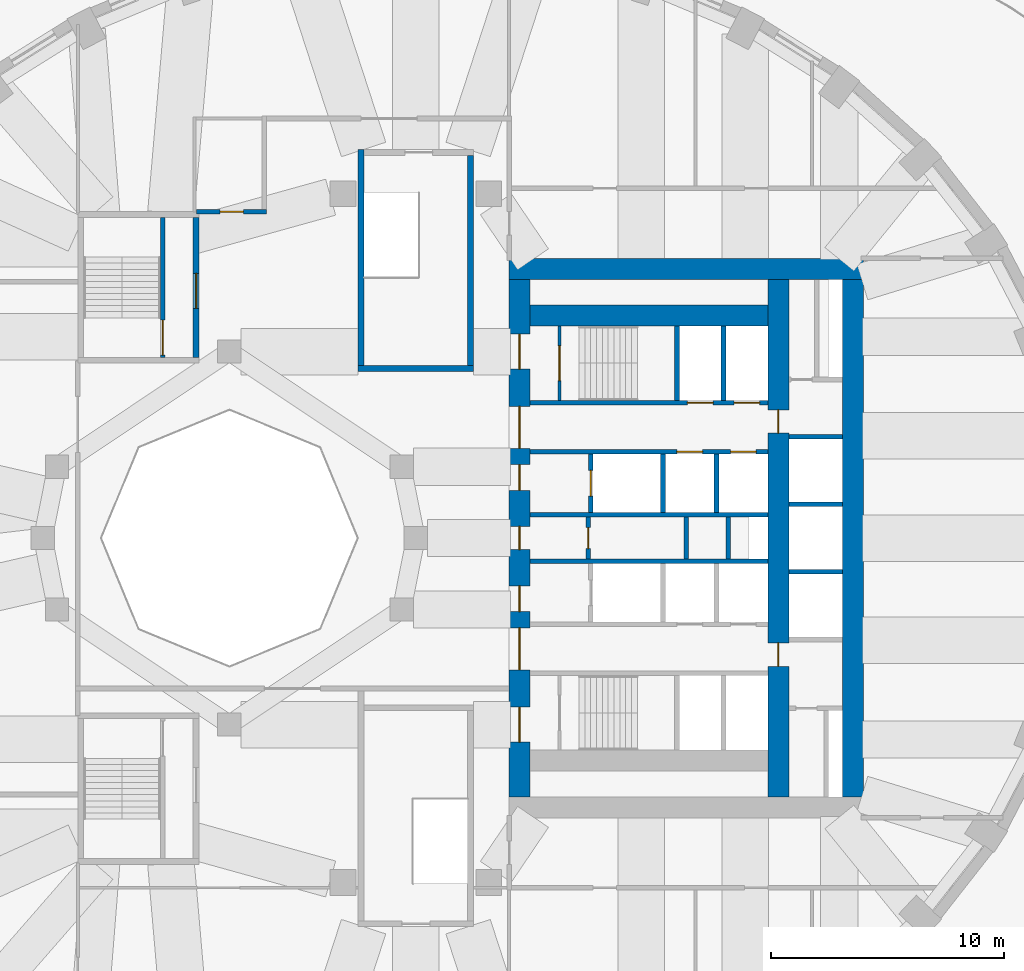
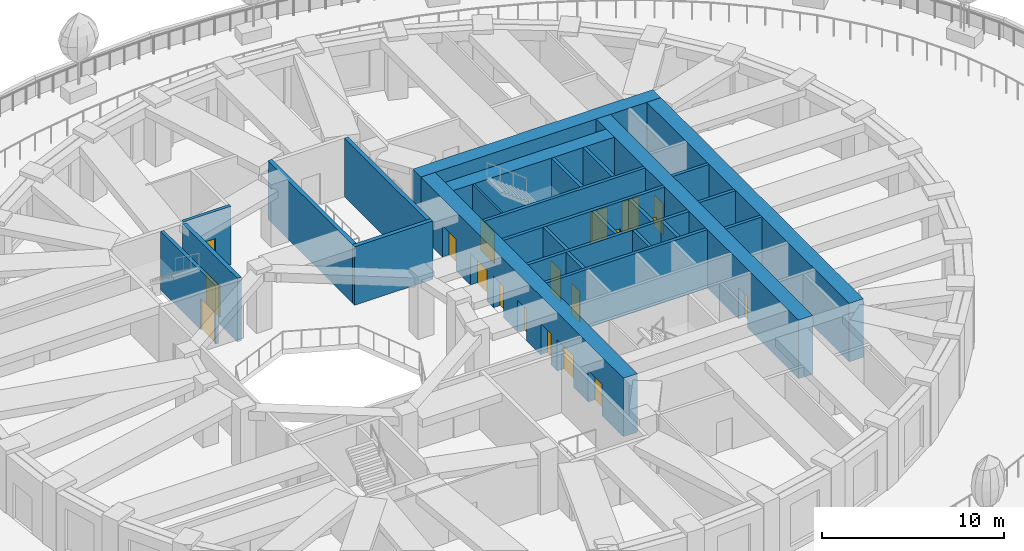
# One storey, part 6 of 17: 27 walls, 19 doors, 19 openings.
"""IFC4 building model written with IfcOpenShell, lengths in metres."""

from ifc_helpers import new_model, si_unit, direction, frame, frame_2d, origin, place, context, subcontext, project, spatial, rectangle, extrude, material, layer, layer_set, type_object, element, fill, save


model = new_model("IFC4")

# Units and contexts
model_context = context("Model", 3, precision=1e-05, world=origin(), true_north=direction((0.0, 1.0)))
body_context = subcontext(model_context, "Body", "Model", "MODEL_VIEW")
ifc_project = project(units=[si_unit("LENGTHUNIT", "METRE"), si_unit("AREAUNIT", "SQUARE_METRE"), si_unit("VOLUMEUNIT", "CUBIC_METRE"), si_unit("PLANEANGLEUNIT", "RADIAN"), si_unit("MASSUNIT", "GRAM", prefix="KILO")], contexts=[model_context])

# Site, building, storey
site_placement = place(None, origin())
site = spatial("IfcSite", under=ifc_project, at=site_placement, CompositionType="ELEMENT")
building_placement = place(site_placement, origin())
building = spatial("IfcBuilding", under=site, at=building_placement, Name="Taillehof Tower", CompositionType="ELEMENT")
storey_placement = place(building_placement, frame((0.0, 0.0, 17.5)))
storey = spatial("IfcBuildingStorey", under=building, at=storey_placement, Name="L03", CompositionType="ELEMENT", Elevation=17.5)

# Wall, opening, door
ifc_material_1 = material(Name="Calcium silicate blockwork", Category="masonry")
ifc_layer_1 = layer(ifc_material_1, 0.199951171875)
ifc_layer_set_1 = layer_set([ifc_layer_1], Name="Compartment wall EI 60 200 mm")
wall_type_1 = type_object("IfcWallType", Name="Compartment wall EI 60 200 mm", PredefinedType="PARTITIONING", material=ifc_layer_set_1)
wall_1_placement = place(storey_placement, frame((-9.39990234375, 14.0, 0.0), z_axis=(0.0, 0.0, 1.0), x_axis=(1.0, 0.0, 0.0)))
wall_1 = element("IfcWall", 1, at=wall_1_placement, inside=storey, type_object=wall_type_1, Name="Wall L03-03 / L03-19", PredefinedType="PARTITIONING", context=body_context, shape_type="SweptSolid", body=[
    extrude(rectangle(XDim=3.0, YDim=0.199951171875, at=frame_2d((1.5, 0.0))), origin(), (0.0, 0.0, 1.0), 3.919921875),
])
opening_1_placement = place(wall_1_placement, frame((1.0, 0.0, 0.0)))
opening_1 = element("IfcOpeningElement", 2, at=opening_1_placement, cuts=wall_1, Name="Opening D0354", PredefinedType="OPENING", context=body_context, shape_type="SweptSolid", body=[
    extrude(rectangle(XDim=1.0, YDim=2.10009765625, at=frame_2d((0.5, 1.050048828125))), frame((0.0, 0.10986328125, 0.0), z_axis=(0.0, -1.0, 0.0), x_axis=(1.0, 0.0, 0.0)), (0.0, 0.0, 1.0), 0.219970703125),
])
ifc_material_2 = material(Name="Hollow metal door set")
door_type_1 = type_object("IfcDoorType", Name="Single door 1000 x 2100 FD60S", OperationType="SINGLE_SWING_LEFT", PredefinedType="DOOR", material=ifc_material_2)
door_1_placement = place(opening_1_placement, origin())
door_1 = element("IfcDoor", 3, at=door_1_placement, inside=storey, type_object=door_type_1, Name="Door D0354", OperationType="SINGLE_SWING_RIGHT", OverallHeight=2.10009765625, OverallWidth=1.0, PredefinedType="DOOR", context=body_context, shape_type="SweptSolid", body=[
    extrude(rectangle(XDim=1.0, YDim=2.10009765625, at=frame_2d((0.5, 1.050048828125))), frame((0.0, 0.02490234375, 0.0), z_axis=(0.0, -1.0, 0.0), x_axis=(1.0, 0.0, 0.0)), (0.0, 0.0, 1.0), 0.050048828125),
])
fill(opening_1, door_1)

ifc_material_3 = material(Name="Calcium silicate masonry", Category="masonry")
ifc_layer_2 = layer(ifc_material_3, 0.199951171875)
ifc_layer_set_2 = layer_set([ifc_layer_2], Name="Compartment wall calcium silicate 200")
wall_type_2 = type_object("IfcWallType", Name="Compartment wall calcium silicate 200", PredefinedType="PARTITIONING", material=ifc_layer_set_2)
wall_2_placement = place(storey_placement, frame((7.39990234375, -0.89990234375, 0.0), z_axis=(0.0, 0.0, 1.0), x_axis=(0.0, 1.0, 0.0)))
wall_2 = element("IfcWall", 4, at=wall_2_placement, inside=storey, type_object=wall_type_2, Name="Compartment wall FW", PredefinedType="PARTITIONING", context=body_context, shape_type="SweptSolid", body=[
    extrude(rectangle(XDim=1.7998046875, YDim=0.199951171875, at=frame_2d((0.89990234375, 0.0))), origin(), (0.0, 0.0, 1.0), 3.919921875),
])
opening_2_placement = place(wall_2_placement, frame((0.449951171875, 0.0, 0.0)))
opening_2 = element("IfcOpeningElement", 5, at=opening_2_placement, cuts=wall_2, Name="Opening D0312", PredefinedType="OPENING", context=body_context, shape_type="SweptSolid", body=[
    extrude(rectangle(XDim=0.89990234375, YDim=2.10009765625, at=frame_2d((0.449951171875, 1.050048828125))), frame((0.0, 0.10986328125, 0.0), z_axis=(0.0, -1.0, 0.0), x_axis=(1.0, 0.0, 0.0)), (0.0, 0.0, 1.0), 0.219970703125),
])
ifc_material_4 = material(Name="Steel-faced fire door", Category="steel")
door_type_2 = type_object("IfcDoorType", Name="Riser and service room door 900x2100", OperationType="SINGLE_SWING_LEFT", PredefinedType="DOOR", material=ifc_material_4)
door_2_placement = place(opening_2_placement, origin())
door_2 = element("IfcDoor", 6, at=door_2_placement, inside=storey, type_object=door_type_2, Name="Door Ice And Pantry Room", OperationType="SINGLE_SWING_RIGHT", OverallHeight=2.10009765625, OverallWidth=0.89990234375, PredefinedType="DOOR", context=body_context, shape_type="SweptSolid", body=[
    extrude(rectangle(XDim=0.89990234375, YDim=2.10009765625, at=frame_2d((0.449951171875, 1.050048828125))), frame((0.0, 0.02490234375, 0.0), z_axis=(0.0, -1.0, 0.0), x_axis=(1.0, 0.0, 0.0)), (0.0, 0.0, 1.0), 0.050048828125),
])
fill(opening_2, door_2)

# Walls
for number, where, z_axis, x_axis, name in (
    (7, (11.60009765625, -0.89990234375, 0.0), (0.0, 0.0, 1.0), (0.0, 1.0, 0.0), "Compartment wall FW"),
    (8, (13.39990234375, -0.89990234375, 0.0), (0.0, 0.0, 1.0), (0.0, 1.0, 0.0), "Compartment wall FW"),
):
    element("IfcWall", number, at=place(storey_placement, frame(where, z_axis=z_axis, x_axis=x_axis)), inside=storey, type_object=wall_type_2, Name=name, PredefinedType="PARTITIONING", context=body_context, shape_type="SweptSolid", body=[
        extrude(rectangle(XDim=1.7998046875, YDim=0.199951171875, at=frame_2d((0.89990234375, 0.0))), origin(), (0.0, 0.0, 1.0), 3.919921875),
    ])

# Wall, openings, doors
ifc_material_5 = material(Name="Concrete C80/95", Category="concrete")
ifc_layer_3 = layer(ifc_material_5, 0.89990234375)
ifc_layer_set_3 = layer_set([ifc_layer_3], Name="Core wall C80/95 900")
wall_type_3 = type_object("IfcWallType", Name="Core wall C80/95 900", PredefinedType="SHEAR", material=ifc_layer_set_3)
wall_3_placement = place(storey_placement, frame((4.449951171875, -11.10009765625, 0.0), z_axis=(0.0, 0.0, 1.0), x_axis=(0.0, 1.0, 0.0)))
wall_3 = element("IfcWall", 9, at=wall_3_placement, inside=storey, type_object=wall_type_3, Name="Core wall CW01", PredefinedType="SHEAR", context=body_context, shape_type="SweptSolid", body=[
    extrude(rectangle(XDim=22.2001953125, YDim=0.89990234375, at=frame_2d((11.10009765625, 0.0))), origin(), (0.0, 0.0, 1.0), 3.919921875),
])
opening_3_placement = place(wall_3_placement, frame((2.35009765625, 0.0, 0.0)))
opening_3 = element("IfcOpeningElement", 10, at=opening_3_placement, cuts=wall_3, Name="Opening D0301", PredefinedType="OPENING", context=body_context, shape_type="SweptSolid", body=[
    extrude(rectangle(XDim=1.5, YDim=2.10009765625, at=frame_2d((0.75, 1.050048828125))), frame((0.0, 0.4599609375, 0.0), z_axis=(0.0, -1.0, 0.0), x_axis=(1.0, 0.0, 0.0)), (0.0, 0.0, 1.0), 0.919921875),
])
opening_4_placement = place(wall_3_placement, frame((5.449951171875, 0.0, 0.0)))
opening_4 = element("IfcOpeningElement", 11, at=opening_4_placement, cuts=wall_3, Name="Opening D0302", PredefinedType="OPENING", context=body_context, shape_type="SweptSolid", body=[
    extrude(rectangle(XDim=1.800048828125, YDim=2.10009765625, at=frame_2d((0.89990234375, 1.050048828125))), frame((0.0, 0.4599609375, 0.0), z_axis=(0.0, -1.0, 0.0), x_axis=(1.0, 0.0, 0.0)), (0.0, 0.0, 1.0), 0.919921875),
])
opening_5_placement = place(wall_3_placement, frame((7.949951171875, 0.0, 0.0)))
opening_5 = element("IfcOpeningElement", 12, at=opening_5_placement, cuts=wall_3, Name="Opening D0303", PredefinedType="OPENING", context=body_context, shape_type="SweptSolid", body=[
    extrude(rectangle(XDim=1.10009765625, YDim=2.10009765625, at=frame_2d((0.550048828125, 1.050048828125))), frame((0.0, 0.4599609375, 0.0), z_axis=(0.0, -1.0, 0.0), x_axis=(1.0, 0.0, 0.0)), (0.0, 0.0, 1.0), 0.919921875),
])
opening_6_placement = place(wall_3_placement, frame((10.60009765625, 0.0, 0.0)))
opening_6 = element("IfcOpeningElement", 13, at=opening_6_placement, cuts=wall_3, Name="Opening D0304", PredefinedType="OPENING", context=body_context, shape_type="SweptSolid", body=[
    extrude(rectangle(XDim=1.0, YDim=2.10009765625, at=frame_2d((0.5, 1.050048828125))), frame((0.0, 0.4599609375, 0.0), z_axis=(0.0, -1.0, 0.0), x_axis=(1.0, 0.0, 0.0)), (0.0, 0.0, 1.0), 0.919921875),
])
opening_7_placement = place(wall_3_placement, frame((13.14990234375, 0.0, 0.0)))
opening_7 = element("IfcOpeningElement", 14, at=opening_7_placement, cuts=wall_3, Name="Opening D0305", PredefinedType="OPENING", context=body_context, shape_type="SweptSolid", body=[
    extrude(rectangle(XDim=1.10009765625, YDim=2.10009765625, at=frame_2d((0.550048828125, 1.050048828125))), frame((0.0, 0.4599609375, 0.0), z_axis=(0.0, -1.0, 0.0), x_axis=(1.0, 0.0, 0.0)), (0.0, 0.0, 1.0), 0.919921875),
])
opening_8_placement = place(wall_3_placement, frame((14.949951171875, 0.0, 0.0)))
opening_8 = element("IfcOpeningElement", 15, at=opening_8_placement, cuts=wall_3, Name="Opening D0306", PredefinedType="OPENING", context=body_context, shape_type="SweptSolid", body=[
    extrude(rectangle(XDim=1.800048828125, YDim=2.10009765625, at=frame_2d((0.89990234375, 1.050048828125))), frame((0.0, 0.4599609375, 0.0), z_axis=(0.0, -1.0, 0.0), x_axis=(1.0, 0.0, 0.0)), (0.0, 0.0, 1.0), 0.919921875),
])
opening_9_placement = place(wall_3_placement, frame((18.35009765625, 0.0, 0.0)))
opening_9 = element("IfcOpeningElement", 16, at=opening_9_placement, cuts=wall_3, Name="Opening D0307", PredefinedType="OPENING", context=body_context, shape_type="SweptSolid", body=[
    extrude(rectangle(XDim=1.5, YDim=2.10009765625, at=frame_2d((0.75, 1.050048828125))), frame((0.0, 0.4599609375, 0.0), z_axis=(0.0, -1.0, 0.0), x_axis=(1.0, 0.0, 0.0)), (0.0, 0.0, 1.0), 0.919921875),
])
ifc_material_6 = material(Name="Steel-faced fire door", Category="steel")
door_type_3 = type_object("IfcDoorType", Name="Firefighting lobby door 1100x2100", OperationType="SINGLE_SWING_RIGHT", PredefinedType="DOOR", material=ifc_material_6)
door_3_placement = place(opening_5_placement, origin())
door_3 = element("IfcDoor", 17, at=door_3_placement, inside=storey, type_object=door_type_3, Name="Firefighting lobby door FFL-S", OperationType="SINGLE_SWING_RIGHT", OverallHeight=2.10009765625, OverallWidth=1.10009765625, PredefinedType="DOOR", context=body_context, shape_type="SweptSolid", body=[
    extrude(rectangle(XDim=1.10009765625, YDim=2.10009765625, at=frame_2d((0.550048828125, 1.050048828125))), frame((0.0, 0.02490234375, 0.0), z_axis=(0.0, -1.0, 0.0), x_axis=(1.0, 0.0, 0.0)), (0.0, 0.0, 1.0), 0.050048828125),
])
fill(opening_5, door_3)
door_4_placement = place(opening_7_placement, origin())
door_4 = element("IfcDoor", 18, at=door_4_placement, inside=storey, type_object=door_type_3, Name="Firefighting lobby door FFL-N", OperationType="SINGLE_SWING_LEFT", OverallHeight=2.10009765625, OverallWidth=1.10009765625, PredefinedType="DOOR", context=body_context, shape_type="SweptSolid", body=[
    extrude(rectangle(XDim=1.10009765625, YDim=2.10009765625, at=frame_2d((0.550048828125, 1.050048828125))), frame((0.0, 0.02490234375, 0.0), z_axis=(0.0, -1.0, 0.0), x_axis=(1.0, 0.0, 0.0)), (0.0, 0.0, 1.0), 0.050048828125),
])
fill(opening_7, door_4)
ifc_material_7 = material(Name="Steel-faced fire door", Category="steel")
door_type_4 = type_object("IfcDoorType", Name="Lift lobby door 1800x2100", OperationType="DOUBLE_DOOR_SINGLE_SWING", PredefinedType="DOOR", material=ifc_material_7)
door_5_placement = place(opening_4_placement, origin())
door_5 = element("IfcDoor", 19, at=door_5_placement, inside=storey, type_object=door_type_4, Name="Lift lobby door LL-S", OperationType="DOUBLE_DOOR_SINGLE_SWING", OverallHeight=2.10009765625, OverallWidth=1.800048828125, PredefinedType="DOOR", context=body_context, shape_type="SweptSolid", body=[
    extrude(rectangle(XDim=1.800048828125, YDim=2.10009765625, at=frame_2d((0.89990234375, 1.050048828125))), frame((0.0, 0.02490234375, 0.0), z_axis=(0.0, -1.0, 0.0), x_axis=(1.0, 0.0, 0.0)), (0.0, 0.0, 1.0), 0.050048828125),
])
fill(opening_4, door_5)
door_6_placement = place(opening_8_placement, origin())
door_6 = element("IfcDoor", 20, at=door_6_placement, inside=storey, type_object=door_type_4, Name="Lift lobby door LL-N", OperationType="DOUBLE_DOOR_SINGLE_SWING", OverallHeight=2.10009765625, OverallWidth=1.800048828125, PredefinedType="DOOR", context=body_context, shape_type="SweptSolid", body=[
    extrude(rectangle(XDim=1.800048828125, YDim=2.10009765625, at=frame_2d((0.89990234375, 1.050048828125))), frame((0.0, 0.02490234375, 0.0), z_axis=(0.0, -1.0, 0.0), x_axis=(1.0, 0.0, 0.0)), (0.0, 0.0, 1.0), 0.050048828125),
])
fill(opening_8, door_6)
ifc_material_8 = material(Name="Steel-faced fire door", Category="steel")
door_type_5 = type_object("IfcDoorType", Name="Service door 1000x2100", OperationType="SINGLE_SWING_RIGHT", PredefinedType="DOOR", material=ifc_material_8)
door_7_placement = place(opening_6_placement, origin())
door_7 = element("IfcDoor", 21, at=door_7_placement, inside=storey, type_object=door_type_5, Name="Service door SV", OperationType="SINGLE_SWING_RIGHT", OverallHeight=2.10009765625, OverallWidth=1.0, PredefinedType="DOOR", context=body_context, shape_type="SweptSolid", body=[
    extrude(rectangle(XDim=1.0, YDim=2.10009765625, at=frame_2d((0.5, 1.050048828125))), frame((0.0, 0.02490234375, 0.0), z_axis=(0.0, -1.0, 0.0), x_axis=(1.0, 0.0, 0.0)), (0.0, 0.0, 1.0), 0.050048828125),
])
fill(opening_6, door_7)
ifc_material_9 = material(Name="Steel-faced fire door", Category="steel")
door_type_6 = type_object("IfcDoorType", Name="Stair door 1500x2100", OperationType="DOUBLE_DOOR_SINGLE_SWING", PredefinedType="DOOR", material=ifc_material_9)
door_8_placement = place(opening_3_placement, origin())
door_8 = element("IfcDoor", 22, at=door_8_placement, inside=storey, type_object=door_type_6, Name="Stair door S2", OperationType="DOUBLE_DOOR_SINGLE_SWING", OverallHeight=2.10009765625, OverallWidth=1.5, PredefinedType="DOOR", context=body_context, shape_type="SweptSolid", body=[
    extrude(rectangle(XDim=1.5, YDim=2.10009765625, at=frame_2d((0.75, 1.050048828125))), frame((0.0, 0.02490234375, 0.0), z_axis=(0.0, -1.0, 0.0), x_axis=(1.0, 0.0, 0.0)), (0.0, 0.0, 1.0), 0.050048828125),
])
fill(opening_3, door_8)
door_9_placement = place(opening_9_placement, origin())
door_9 = element("IfcDoor", 23, at=door_9_placement, inside=storey, type_object=door_type_6, Name="Stair door S1", OperationType="DOUBLE_DOOR_SINGLE_SWING", OverallHeight=2.10009765625, OverallWidth=1.5, PredefinedType="DOOR", context=body_context, shape_type="SweptSolid", body=[
    extrude(rectangle(XDim=1.5, YDim=2.10009765625, at=frame_2d((0.75, 1.050048828125))), frame((0.0, 0.02490234375, 0.0), z_axis=(0.0, -1.0, 0.0), x_axis=(1.0, 0.0, 0.0)), (0.0, 0.0, 1.0), 0.050048828125),
])
fill(opening_9, door_9)

# Walls
wall_4_placement = place(storey_placement, frame((18.75, -11.10009765625, 0.0), z_axis=(0.0, 0.0, 1.0), x_axis=(0.0, 1.0, 0.0)))
element("IfcWall", 24, at=wall_4_placement, inside=storey, type_object=wall_type_3, Name="Core wall CW02", PredefinedType="SHEAR", context=body_context, shape_type="SweptSolid", body=[
    extrude(rectangle(XDim=22.2001953125, YDim=0.89990234375, at=frame_2d((11.10009765625, 0.0))), origin(), (0.0, 0.0, 1.0), 3.919921875),
])
wall_5_placement = place(storey_placement, frame((4.0, 11.550048828125, 0.0), z_axis=(0.0, 0.0, 1.0), x_axis=(1.0, 0.0, 0.0)))
element("IfcWall", 25, at=wall_5_placement, inside=storey, type_object=wall_type_3, Name="Core wall CW03", PredefinedType="SHEAR", context=body_context, shape_type="SweptSolid", body=[
    extrude(rectangle(XDim=15.199951171875, YDim=0.89990234375, at=frame_2d((7.60009765625, 0.0))), origin(), (0.0, 0.0, 1.0), 3.919921875),
])

# Wall, openings, doors
wall_6_placement = place(storey_placement, frame((15.550048828125, -11.10009765625, 0.0), z_axis=(0.0, 0.0, 1.0), x_axis=(0.0, 1.0, 0.0)))
wall_6 = element("IfcWall", 26, at=wall_6_placement, inside=storey, type_object=wall_type_3, Name="Core wall CW05", PredefinedType="SHEAR", context=body_context, shape_type="SweptSolid", body=[
    extrude(rectangle(XDim=22.2001953125, YDim=0.89990234375, at=frame_2d((11.10009765625, 0.0))), origin(), (0.0, 0.0, 1.0), 3.919921875),
])
opening_10_placement = place(wall_6_placement, frame((15.60009765625, 0.0, 0.0)))
opening_10 = element("IfcOpeningElement", 27, at=opening_10_placement, cuts=wall_6, Name="Opening D0313", PredefinedType="OPENING", context=body_context, shape_type="SweptSolid", body=[
    extrude(rectangle(XDim=1.0, YDim=2.10009765625, at=frame_2d((0.5, 1.050048828125))), frame((0.0, 0.4599609375, 0.0), z_axis=(0.0, -1.0, 0.0), x_axis=(1.0, 0.0, 0.0)), (0.0, 0.0, 1.0), 0.919921875),
])
opening_11_placement = place(wall_6_placement, frame((5.60009765625, 0.0, 0.0)))
opening_11 = element("IfcOpeningElement", 28, at=opening_11_placement, cuts=wall_6, Name="Opening D0315", PredefinedType="OPENING", context=body_context, shape_type="SweptSolid", body=[
    extrude(rectangle(XDim=1.0, YDim=2.10009765625, at=frame_2d((0.5, 1.050048828125))), frame((0.0, 0.4599609375, 0.0), z_axis=(0.0, -1.0, 0.0), x_axis=(1.0, 0.0, 0.0)), (0.0, 0.0, 1.0), 0.919921875),
])
door_10_placement = place(opening_10_placement, origin())
door_10 = element("IfcDoor", 29, at=door_10_placement, inside=storey, type_object=door_type_5, Name="Service door strip", OperationType="SINGLE_SWING_RIGHT", OverallHeight=2.10009765625, OverallWidth=1.0, PredefinedType="DOOR", context=body_context, shape_type="SweptSolid", body=[
    extrude(rectangle(XDim=1.0, YDim=2.10009765625, at=frame_2d((0.5, 1.050048828125))), frame((0.0, 0.02490234375, 0.0), z_axis=(0.0, -1.0, 0.0), x_axis=(1.0, 0.0, 0.0)), (0.0, 0.0, 1.0), 0.050048828125),
])
fill(opening_10, door_10)
door_11_placement = place(opening_11_placement, origin())
door_11 = element("IfcDoor", 30, at=door_11_placement, inside=storey, type_object=door_type_5, Name="Service door strip", OperationType="SINGLE_SWING_LEFT", OverallHeight=2.10009765625, OverallWidth=1.0, PredefinedType="DOOR", context=body_context, shape_type="SweptSolid", body=[
    extrude(rectangle(XDim=1.0, YDim=2.10009765625, at=frame_2d((0.5, 1.050048828125))), frame((0.0, 0.02490234375, 0.0), z_axis=(0.0, -1.0, 0.0), x_axis=(1.0, 0.0, 0.0)), (0.0, 0.0, 1.0), 0.050048828125),
])
fill(opening_11, door_11)

# Wall
wall_7_placement = place(storey_placement, frame((4.89990234375, 9.550048828125, 0.0), z_axis=(0.0, 0.0, 1.0), x_axis=(1.0, 0.0, 0.0)))
element("IfcWall", 31, at=wall_7_placement, inside=storey, type_object=wall_type_3, Name="Core wall CW06", PredefinedType="SHEAR", context=body_context, shape_type="SweptSolid", body=[
    extrude(rectangle(XDim=10.2001953125, YDim=0.89990234375, at=frame_2d((5.10009765625, 0.0))), origin(), (0.0, 0.0, 1.0), 3.919921875),
])

# Wall, openings, doors
ifc_material_10 = material(Name="Concrete C50/60", Category="concrete")
ifc_layer_4 = layer(ifc_material_10, 0.199951171875)
ifc_layer_set_4 = layer_set([ifc_layer_4], Name="Shaft wall C50/60 200")
wall_type_4 = type_object("IfcWallType", Name="Shaft wall C50/60 200", PredefinedType="SHEAR", material=ifc_layer_set_4)
wall_8_placement = place(storey_placement, frame((4.89990234375, 5.800048828125, 0.0), z_axis=(0.0, 0.0, 1.0), x_axis=(1.0, 0.0, 0.0)))
wall_8 = element("IfcWall", 32, at=wall_8_placement, inside=storey, type_object=wall_type_4, Name="Shaft wall SW", PredefinedType="SHEAR", context=body_context, shape_type="SweptSolid", body=[
    extrude(rectangle(XDim=10.2001953125, YDim=0.199951171875, at=frame_2d((5.10009765625, 0.0))), origin(), (0.0, 0.0, 1.0), 3.919921875),
])
opening_12_placement = place(wall_8_placement, frame((6.75, 0.0, 0.0)))
opening_12 = element("IfcOpeningElement", 33, at=opening_12_placement, cuts=wall_8, Name="Opening LD1", PredefinedType="OPENING", context=body_context, shape_type="SweptSolid", body=[
    extrude(rectangle(XDim=1.10009765625, YDim=2.10009765625, at=frame_2d((0.550048828125, 1.050048828125))), frame((0.0, 0.10986328125, 0.0), z_axis=(0.0, -1.0, 0.0), x_axis=(1.0, 0.0, 0.0)), (0.0, 0.0, 1.0), 0.219970703125),
])
opening_13_placement = place(wall_8_placement, frame((8.75, 0.0, 0.0)))
opening_13 = element("IfcOpeningElement", 34, at=opening_13_placement, cuts=wall_8, Name="Opening LD1", PredefinedType="OPENING", context=body_context, shape_type="SweptSolid", body=[
    extrude(rectangle(XDim=1.10009765625, YDim=2.10009765625, at=frame_2d((0.550048828125, 1.050048828125))), frame((0.0, 0.10986328125, 0.0), z_axis=(0.0, -1.0, 0.0), x_axis=(1.0, 0.0, 0.0)), (0.0, 0.0, 1.0), 0.219970703125),
])
ifc_material_11 = material(Name="Stainless steel", Category="steel")
door_type_7 = type_object("IfcDoorType", Name="Lift landing door LD1 1100x2100", OperationType="DOUBLE_DOOR_SLIDING", PredefinedType="DOOR", material=ifc_material_11)
door_12_placement = place(opening_12_placement, origin())
door_12 = element("IfcDoor", 35, at=door_12_placement, inside=storey, type_object=door_type_7, Name="Landing door LR1", OperationType="DOUBLE_DOOR_SLIDING", OverallHeight=2.10009765625, OverallWidth=1.10009765625, PredefinedType="DOOR", context=body_context, shape_type="SweptSolid", body=[
    extrude(rectangle(XDim=1.10009765625, YDim=2.10009765625, at=frame_2d((0.550048828125, 1.050048828125))), frame((0.0, 0.02490234375, 0.0), z_axis=(0.0, -1.0, 0.0), x_axis=(1.0, 0.0, 0.0)), (0.0, 0.0, 1.0), 0.050048828125),
])
fill(opening_12, door_12)
door_13_placement = place(opening_13_placement, origin())
door_13 = element("IfcDoor", 36, at=door_13_placement, inside=storey, type_object=door_type_7, Name="Landing door LR2", OperationType="DOUBLE_DOOR_SLIDING", OverallHeight=2.10009765625, OverallWidth=1.10009765625, PredefinedType="DOOR", context=body_context, shape_type="SweptSolid", body=[
    extrude(rectangle(XDim=1.10009765625, YDim=2.10009765625, at=frame_2d((0.550048828125, 1.050048828125))), frame((0.0, 0.02490234375, 0.0), z_axis=(0.0, -1.0, 0.0), x_axis=(1.0, 0.0, 0.0)), (0.0, 0.0, 1.0), 0.050048828125),
])
fill(opening_13, door_13)

wall_9_placement = place(storey_placement, frame((4.89990234375, 3.699951171875, 0.0), z_axis=(0.0, 0.0, 1.0), x_axis=(1.0, 0.0, 0.0)))
wall_9 = element("IfcWall", 37, at=wall_9_placement, inside=storey, type_object=wall_type_4, Name="Shaft wall SW", PredefinedType="SHEAR", context=body_context, shape_type="SweptSolid", body=[
    extrude(rectangle(XDim=10.2001953125, YDim=0.199951171875, at=frame_2d((5.10009765625, 0.0))), origin(), (0.0, 0.0, 1.0), 3.919921875),
])
opening_14_placement = place(wall_9_placement, frame((6.300048828125, 0.0, 0.0)))
opening_14 = element("IfcOpeningElement", 38, at=opening_14_placement, cuts=wall_9, Name="Opening LD1", PredefinedType="OPENING", context=body_context, shape_type="SweptSolid", body=[
    extrude(rectangle(XDim=1.10009765625, YDim=2.10009765625, at=frame_2d((0.550048828125, 1.050048828125))), frame((0.0, 0.10986328125, 0.0), z_axis=(0.0, -1.0, 0.0), x_axis=(1.0, 0.0, 0.0)), (0.0, 0.0, 1.0), 0.219970703125),
])
opening_15_placement = place(wall_9_placement, frame((8.60009765625, 0.0, 0.0)))
opening_15 = element("IfcOpeningElement", 39, at=opening_15_placement, cuts=wall_9, Name="Opening LD1", PredefinedType="OPENING", context=body_context, shape_type="SweptSolid", body=[
    extrude(rectangle(XDim=1.10009765625, YDim=2.10009765625, at=frame_2d((0.550048828125, 1.050048828125))), frame((0.0, 0.10986328125, 0.0), z_axis=(0.0, -1.0, 0.0), x_axis=(1.0, 0.0, 0.0)), (0.0, 0.0, 1.0), 0.219970703125),
])
door_14_placement = place(opening_14_placement, origin())
door_14 = element("IfcDoor", 40, at=door_14_placement, inside=storey, type_object=door_type_7, Name="Landing door LR3", OperationType="DOUBLE_DOOR_SLIDING", OverallHeight=2.10009765625, OverallWidth=1.10009765625, PredefinedType="DOOR", context=body_context, shape_type="SweptSolid", body=[
    extrude(rectangle(XDim=1.10009765625, YDim=2.10009765625, at=frame_2d((0.550048828125, 1.050048828125))), frame((0.0, 0.02490234375, 0.0), z_axis=(0.0, -1.0, 0.0), x_axis=(1.0, 0.0, 0.0)), (0.0, 0.0, 1.0), 0.050048828125),
])
fill(opening_14, door_14)
door_15_placement = place(opening_15_placement, origin())
door_15 = element("IfcDoor", 41, at=door_15_placement, inside=storey, type_object=door_type_7, Name="Landing door LR4", OperationType="DOUBLE_DOOR_SLIDING", OverallHeight=2.10009765625, OverallWidth=1.10009765625, PredefinedType="DOOR", context=body_context, shape_type="SweptSolid", body=[
    extrude(rectangle(XDim=1.10009765625, YDim=2.10009765625, at=frame_2d((0.550048828125, 1.050048828125))), frame((0.0, 0.02490234375, 0.0), z_axis=(0.0, -1.0, 0.0), x_axis=(1.0, 0.0, 0.0)), (0.0, 0.0, 1.0), 0.050048828125),
])
fill(opening_15, door_15)

# Walls
for number, where, z_axis, x_axis, name in (
    (42, (4.89990234375, 1.0, 0.0), (0.0, 0.0, 1.0), (1.0, 0.0, 0.0), "Shaft wall SW"),
    (43, (4.89990234375, -1.0, 0.0), (0.0, 0.0, 1.0), (1.0, 0.0, 0.0), "Shaft wall SW"),
):
    element("IfcWall", number, at=place(storey_placement, frame(where, z_axis=z_axis, x_axis=x_axis)), inside=storey, type_object=wall_type_4, Name=name, PredefinedType="SHEAR", context=body_context, shape_type="SweptSolid", body=[
        extrude(rectangle(XDim=10.2001953125, YDim=0.199951171875, at=frame_2d((5.10009765625, 0.0))), origin(), (0.0, 0.0, 1.0), 3.919921875),
    ])
for number, where, z_axis, x_axis, name in (
    (44, (11.199951171875, 5.89990234375, 0.0), (0.0, 0.0, 1.0), (0.0, 1.0, 0.0), "Shaft wall SW"),
    (45, (13.199951171875, 5.89990234375, 0.0), (0.0, 0.0, 1.0), (0.0, 1.0, 0.0), "Shaft wall SW"),
):
    element("IfcWall", number, at=place(storey_placement, frame(where, z_axis=z_axis, x_axis=x_axis)), inside=storey, type_object=wall_type_4, Name=name, PredefinedType="SHEAR", context=body_context, shape_type="SweptSolid", body=[
        extrude(rectangle(XDim=3.2001953125, YDim=0.199951171875, at=frame_2d((1.60009765625, 0.0))), origin(), (0.0, 0.0, 1.0), 3.919921875),
    ])

# Wall, opening, door
wall_10_placement = place(storey_placement, frame((7.5, 1.10009765625, 0.0), z_axis=(0.0, 0.0, 1.0), x_axis=(0.0, 1.0, 0.0)))
wall_10 = element("IfcWall", 46, at=wall_10_placement, inside=storey, type_object=wall_type_4, Name="Shaft wall SW", PredefinedType="SHEAR", context=body_context, shape_type="SweptSolid", body=[
    extrude(rectangle(XDim=2.5, YDim=0.199951171875, at=frame_2d((1.25, 0.0))), origin(), (0.0, 0.0, 1.0), 3.919921875),
])
opening_16_placement = place(wall_10_placement, frame((0.699951171875, 0.0, 0.0)))
opening_16 = element("IfcOpeningElement", 47, at=opening_16_placement, cuts=wall_10, Name="Opening LD1", PredefinedType="OPENING", context=body_context, shape_type="SweptSolid", body=[
    extrude(rectangle(XDim=1.10009765625, YDim=2.10009765625, at=frame_2d((0.550048828125, 1.050048828125))), frame((0.0, 0.10986328125, 0.0), z_axis=(0.0, -1.0, 0.0), x_axis=(1.0, 0.0, 0.0)), (0.0, 0.0, 1.0), 0.219970703125),
])
door_16_placement = place(opening_16_placement, origin())
door_16 = element("IfcDoor", 48, at=door_16_placement, inside=storey, type_object=door_type_7, Name="Landing door FF1", OperationType="DOUBLE_DOOR_SLIDING", OverallHeight=2.10009765625, OverallWidth=1.10009765625, PredefinedType="DOOR", context=body_context, shape_type="SweptSolid", body=[
    extrude(rectangle(XDim=1.10009765625, YDim=2.10009765625, at=frame_2d((0.550048828125, 1.050048828125))), frame((0.0, 0.02490234375, 0.0), z_axis=(0.0, -1.0, 0.0), x_axis=(1.0, 0.0, 0.0)), (0.0, 0.0, 1.0), 0.050048828125),
])
fill(opening_16, door_16)

# Walls
for number, where, z_axis, x_axis, name in (
    (49, (10.60009765625, 1.10009765625, 0.0), (0.0, 0.0, 1.0), (0.0, 1.0, 0.0), "Shaft wall SW"),
    (50, (12.89990234375, 1.10009765625, 0.0), (0.0, 0.0, 1.0), (0.0, 1.0, 0.0), "Shaft wall SW"),
):
    element("IfcWall", number, at=place(storey_placement, frame(where, z_axis=z_axis, x_axis=x_axis)), inside=storey, type_object=wall_type_4, Name=name, PredefinedType="SHEAR", context=body_context, shape_type="SweptSolid", body=[
        extrude(rectangle(XDim=2.5, YDim=0.199951171875, at=frame_2d((1.25, 0.0))), origin(), (0.0, 0.0, 1.0), 3.919921875),
    ])

# Wall, opening, door
wall_11_placement = place(storey_placement, frame((-10.85009765625, 7.75, 0.0), z_axis=(0.0, 0.0, 1.0), x_axis=(0.0, 1.0, 0.0)))
wall_11 = element("IfcWall", 51, at=wall_11_placement, inside=storey, type_object=wall_type_4, Name="Shaft wall SW", PredefinedType="SHEAR", context=body_context, shape_type="SweptSolid", body=[
    extrude(rectangle(XDim=6.0, YDim=0.199951171875, at=frame_2d((3.0, 0.0))), origin(), (0.0, 0.0, 1.0), 3.919921875),
])
opening_17_placement = place(wall_11_placement, frame((0.10009765625, 0.0, 0.0)))
opening_17 = element("IfcOpeningElement", 52, at=opening_17_placement, cuts=wall_11, Name="Opening D0310", PredefinedType="OPENING", context=body_context, shape_type="SweptSolid", body=[
    extrude(rectangle(XDim=1.5, YDim=2.10009765625, at=frame_2d((0.75, 1.050048828125))), frame((0.0, 0.10986328125, 0.0), z_axis=(0.0, -1.0, 0.0), x_axis=(1.0, 0.0, 0.0)), (0.0, 0.0, 1.0), 0.219970703125),
])
door_17_placement = place(opening_17_placement, origin())
door_17 = element("IfcDoor", 53, at=door_17_placement, inside=storey, type_object=door_type_6, Name="Stair lobby door S3", OperationType="DOUBLE_DOOR_SINGLE_SWING", OverallHeight=2.10009765625, OverallWidth=1.5, PredefinedType="DOOR", context=body_context, shape_type="SweptSolid", body=[
    extrude(rectangle(XDim=1.5, YDim=2.10009765625, at=frame_2d((0.75, 1.050048828125))), frame((0.0, 0.02490234375, 0.0), z_axis=(0.0, -1.0, 0.0), x_axis=(1.0, 0.0, 0.0)), (0.0, 0.0, 1.0), 0.050048828125),
])
fill(opening_17, door_17)

# Walls
for number, where, z_axis, x_axis, name in (
    (54, (16.0, -1.449951171875, 0.0), (0.0, 0.0, 1.0), (1.0, 0.0, 0.0), "Shaft wall SW"),
    (55, (16.0, 1.449951171875, 0.0), (0.0, 0.0, 1.0), (1.0, 0.0, 0.0), "Shaft wall SW"),
    (56, (16.0, 4.35009765625, 0.0), (0.0, 0.0, 1.0), (1.0, 0.0, 0.0), "Shaft wall SW"),
):
    element("IfcWall", number, at=place(storey_placement, frame(where, z_axis=z_axis, x_axis=x_axis)), inside=storey, type_object=wall_type_4, Name=name, PredefinedType="SHEAR", context=body_context, shape_type="SweptSolid", body=[
        extrude(rectangle(XDim=2.300048828125, YDim=0.199951171875, at=frame_2d((1.14990234375, 0.0))), origin(), (0.0, 0.0, 1.0), 3.919921875),
    ])

# Wall, opening, door
ifc_material_12 = material(Name="Concrete C50/60", Category="concrete")
ifc_layer_5 = layer(ifc_material_12, 0.1201171875)
ifc_layer_set_5 = layer_set([ifc_layer_5], Name="Stair lobby wall C50/60 120")
wall_type_5 = type_object("IfcWallType", Name="Stair lobby wall C50/60 120", PredefinedType="SHEAR", material=ifc_layer_set_5)
wall_12_placement = place(storey_placement, frame((6.159912109375, 5.89990234375, 0.0), z_axis=(0.0, 0.0, 1.0), x_axis=(0.0, 1.0, 0.0)))
wall_12 = element("IfcWall", 57, at=wall_12_placement, inside=storey, type_object=wall_type_5, Name="Compartment wall SW", PredefinedType="SHEAR", context=body_context, shape_type="SweptSolid", body=[
    extrude(rectangle(XDim=3.2001953125, YDim=0.1201171875, at=frame_2d((1.60009765625, 0.0))), origin(), (0.0, 0.0, 1.0), 3.919921875),
])
opening_18_placement = place(wall_12_placement, frame((0.85009765625, 0.0, 0.0)))
opening_18 = element("IfcOpeningElement", 58, at=opening_18_placement, cuts=wall_12, Name="Opening D0308", PredefinedType="OPENING", context=body_context, shape_type="SweptSolid", body=[
    extrude(rectangle(XDim=1.5, YDim=2.10009765625, at=frame_2d((0.75, 1.050048828125))), frame((0.0, 0.070068359375, 0.0), z_axis=(0.0, -1.0, 0.0), x_axis=(1.0, 0.0, 0.0)), (0.0, 0.0, 1.0), 0.14013671875),
])
door_18_placement = place(opening_18_placement, origin())
door_18 = element("IfcDoor", 59, at=door_18_placement, inside=storey, type_object=door_type_6, Name="Stair lobby door S1", OperationType="DOUBLE_DOOR_SINGLE_SWING", OverallHeight=2.10009765625, OverallWidth=1.5, PredefinedType="DOOR", context=body_context, shape_type="SweptSolid", body=[
    extrude(rectangle(XDim=1.5, YDim=2.10009765625, at=frame_2d((0.75, 1.050048828125))), frame((0.0, 0.02490234375, 0.0), z_axis=(0.0, -1.0, 0.0), x_axis=(1.0, 0.0, 0.0)), (0.0, 0.0, 1.0), 0.050048828125),
])
fill(opening_18, door_18)

ifc_material_13 = material(Name="Concrete C50/60", Category="concrete")
ifc_layer_6 = layer(ifc_material_13, 0.25)
ifc_layer_set_6 = layer_set([ifc_layer_6], Name="Stair wall C50/60 250")
wall_type_6 = type_object("IfcWallType", Name="Stair wall C50/60 250", PredefinedType="SHEAR", material=ifc_layer_set_6)
wall_13_placement = place(storey_placement, frame((-9.425048828125, 7.75, -0.35009765625), z_axis=(0.0, 0.0, 1.0), x_axis=(0.0, 1.0, 0.0)))
wall_13 = element("IfcWall", 60, at=wall_13_placement, inside=storey, type_object=wall_type_6, Name="Stair wall SC", PredefinedType="SHEAR", context=body_context, shape_type="SweptSolid", body=[
    extrude(rectangle(XDim=6.0, YDim=0.25, at=frame_2d((3.0, 0.0))), origin(), (0.0, 0.0, 1.0), 4.27001953125),
])
opening_19_placement = place(wall_13_placement, frame((2.10009765625, 0.0, 0.35009765625)))
opening_19 = element("IfcOpeningElement", 61, at=opening_19_placement, cuts=wall_13, Name="Opening D0317", PredefinedType="OPENING", context=body_context, shape_type="SweptSolid", body=[
    extrude(rectangle(XDim=1.5, YDim=2.10009765625, at=frame_2d((0.75, 1.050048828125))), frame((0.0, 0.135009765625, 0.0), z_axis=(0.0, -1.0, 0.0), x_axis=(1.0, 0.0, 0.0)), (0.0, 0.0, 1.0), 0.27001953125),
])
door_19_placement = place(opening_19_placement, origin())
door_19 = element("IfcDoor", 62, at=door_19_placement, inside=storey, type_object=door_type_6, Name="Stair door S3", OperationType="DOUBLE_DOOR_SINGLE_SWING", OverallHeight=2.10009765625, OverallWidth=1.5, PredefinedType="DOOR", context=body_context, shape_type="SweptSolid", body=[
    extrude(rectangle(XDim=1.5, YDim=2.10009765625, at=frame_2d((0.75, 1.050048828125))), frame((0.0, 0.02490234375, 0.0), z_axis=(0.0, -1.0, 0.0), x_axis=(1.0, 0.0, 0.0)), (0.0, 0.0, 1.0), 0.050048828125),
])
fill(opening_19, door_19)

# Walls
ifc_material_14 = material(Name="Concrete C40/50", Category="concrete")
ifc_layer_7 = layer(ifc_material_14, 0.25)
ifc_layer_set_7 = layer_set([ifc_layer_7], Name="Stair wall EI 120 250 mm")
wall_type_7 = type_object("IfcWallType", Name="Stair wall EI 120 250 mm", PredefinedType="SOLIDWALL", material=ifc_layer_set_7)
wall_14_placement = place(storey_placement, frame((-2.47509765625, 7.27490234375, 0.0), z_axis=(0.0, 0.0, 1.0), x_axis=(1.0, 0.0, 0.0)))
element("IfcWall", 63, at=wall_14_placement, inside=storey, type_object=wall_type_7, Name="Wall L03-01 / L03-19", PredefinedType="SOLIDWALL", context=body_context, shape_type="SweptSolid", body=[
    extrude(rectangle(XDim=4.9501953125, YDim=0.25, at=frame_2d((2.47509765625, 0.0))), origin(), (0.0, 0.0, 1.0), 3.919921875),
])
wall_15_placement = place(storey_placement, frame((-2.35009765625, 7.39990234375, 0.0), z_axis=(0.0, 0.0, 1.0), x_axis=(0.0, 1.0, 0.0)))
element("IfcWall", 64, at=wall_15_placement, inside=storey, type_object=wall_type_7, Name="Wall L03-01 / L03-19", PredefinedType="SOLIDWALL", context=body_context, shape_type="SweptSolid", body=[
    extrude(rectangle(XDim=9.27001953125, YDim=0.25, at=frame_2d((4.635009765625, 0.0))), origin(), (0.0, 0.0, 1.0), 3.919921875),
])
wall_16_placement = place(storey_placement, frame((2.35009765625, 7.39990234375, 0.0), z_axis=(0.0, 0.0, 1.0), x_axis=(0.0, 1.0, 0.0)))
element("IfcWall", 65, at=wall_16_placement, inside=storey, type_object=wall_type_7, Name="Wall L03-01 / L03-19", PredefinedType="SOLIDWALL", context=body_context, shape_type="SweptSolid", body=[
    extrude(rectangle(XDim=9.02001953125, YDim=0.25, at=frame_2d((4.510009765625, 0.0))), origin(), (0.0, 0.0, 1.0), 3.919921875),
])

save(model, "model.ifc")
